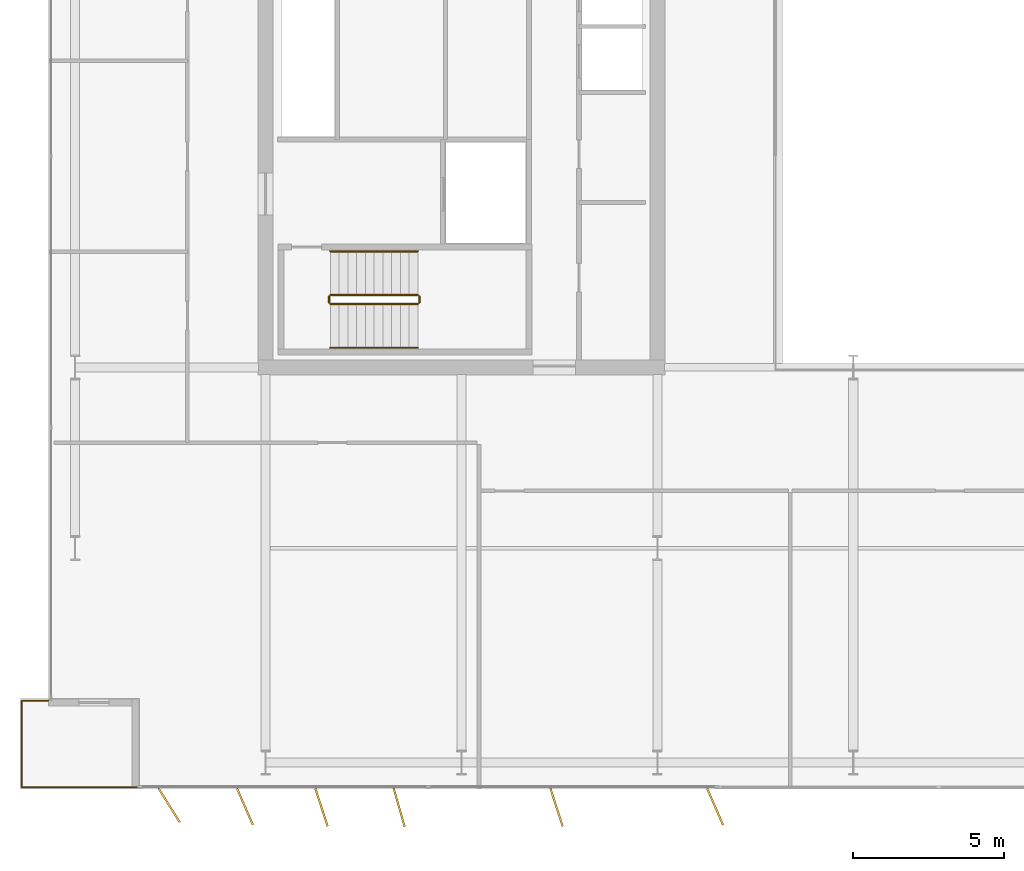
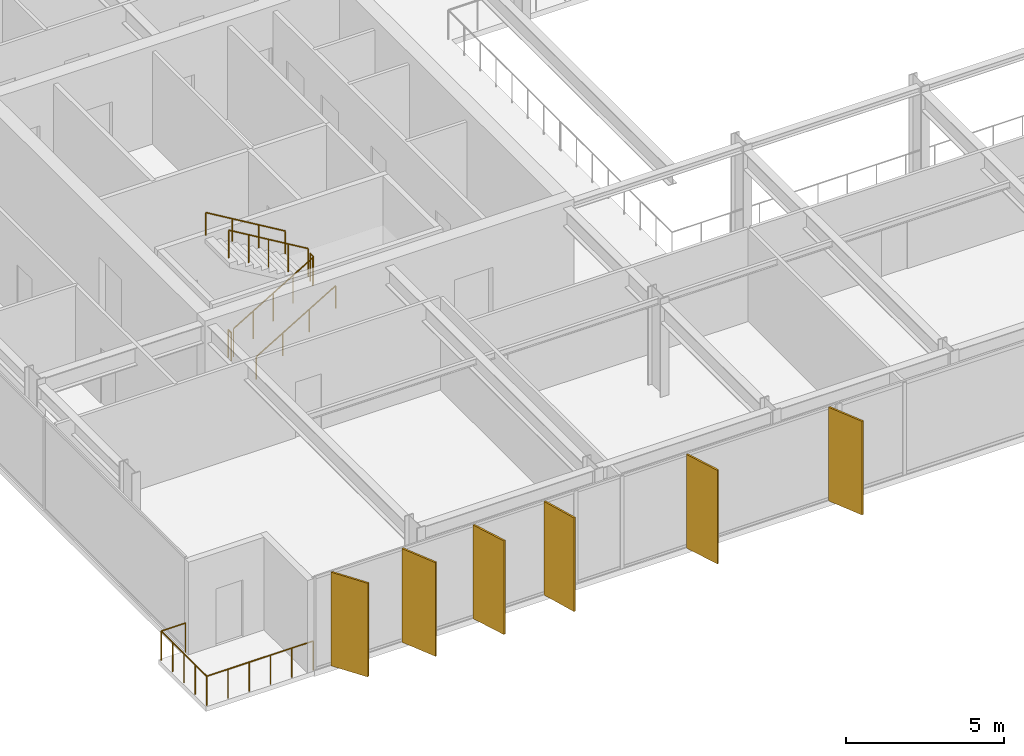
# One storey, part 20 of 23: 7 railings, 6 shading devices.
"""IFC4 building model written with IfcOpenShell, lengths in metres."""

from ifc_helpers import new_model, si_unit, direction, frame, origin, origin_2d, place, context, subcontext, project, spatial, rectangle, circle, extrude, material, layer, layer_set, type_object, element, save


model = new_model("IFC4")

# Units and contexts
model_context = context("Model", 3, precision=1e-05, world=origin(), true_north=direction((0.0, 1.0)))
body_context = subcontext(model_context, "Body", "Model", "MODEL_VIEW")
ifc_project = project(units=[si_unit("LENGTHUNIT", "METRE"), si_unit("AREAUNIT", "SQUARE_METRE"), si_unit("VOLUMEUNIT", "CUBIC_METRE"), si_unit("PLANEANGLEUNIT", "RADIAN"), si_unit("MASSUNIT", "GRAM", prefix="KILO")], contexts=[model_context])

# Site, building, storey
site_placement = place(None, origin())
site = spatial("IfcSite", under=ifc_project, at=site_placement, CompositionType="ELEMENT")
building_placement = place(site_placement, origin())
building = spatial("IfcBuilding", under=site, at=building_placement, Name="Putna Gate Headquarters", CompositionType="ELEMENT")
storey_placement = place(building_placement, frame((0.0, 0.0, 225.199951171875)))
storey = spatial("IfcBuildingStorey", under=building, at=storey_placement, Name="L56", CompositionType="ELEMENT", Elevation=225.199951171875)

# Railings
ifc_material_1 = material(Name="Powder-coated steel stair guardrail", Category="steel")
railing_type_1 = type_object("IfcRailingType", Name="RAIL-STAIR-GUARD-1100", PredefinedType="GUARDRAIL", material=ifc_material_1)
railing_1_placement = place(storey_placement, frame((15.14990234375, 21.10009765625, 0.1728515625)))
element("IfcRailing", 1, at=railing_1_placement, inside=storey, type_object=railing_type_1, Name="L56 ST1 stair guard 1", PredefinedType="GUARDRAIL", context=body_context, shape_type="SweptSolid", body=[
    extrude(circle(Radius=0.02392578125, at=origin_2d()), frame((0.0, 0.0, 1.076171875), z_axis=(0.859160404282, 0.0, 0.51170636083), x_axis=(0.0, 1.0, 0.0)), (0.0, 0.0, 1.0), 3.37548828125),
    extrude(circle(Radius=0.02099609375, at=origin_2d()), origin(), (0.0, 0.0, 1.0), 1.052001953125),
    extrude(circle(Radius=0.02099609375, at=origin_2d()), frame((0.72509765625, 0.0, 0.431884765625)), (0.0, 0.0, 1.0), 1.052001953125),
    extrude(circle(Radius=0.02099609375, at=origin_2d()), frame((1.4501953125, 0.0, 0.86376953125)), (0.0, 0.0, 1.0), 1.052001953125),
    extrude(circle(Radius=0.02099609375, at=origin_2d()), frame((2.175048828125, 0.0, 1.29541015625)), (0.0, 0.0, 1.0), 1.052001953125),
    extrude(circle(Radius=0.02099609375, at=origin_2d()), frame((2.900146484375, 0.0, 1.727294921875)), (0.0, 0.0, 1.0), 1.052001953125),
])
railing_2_placement = place(storey_placement, frame((18.10009765625, 21.14990234375, 1.900146484375)))
element("IfcRailing", 2, at=railing_2_placement, inside=storey, type_object=railing_type_1, Name="L56 ST1 stair guard 2", PredefinedType="GUARDRAIL", context=body_context, shape_type="SweptSolid", body=[
    extrude(circle(Radius=0.02392578125, at=origin_2d()), frame((0.0, 0.0, 1.076171875), z_axis=(0.0, 1.0, 0.0), x_axis=(-1.0, 0.0, 0.0)), (0.0, 0.0, 1.0), 0.2001953125),
    extrude(circle(Radius=0.02099609375, at=origin_2d()), origin(), (0.0, 0.0, 1.0), 1.052001953125),
    extrude(circle(Radius=0.02099609375, at=origin_2d()), frame((0.0, 0.2001953125, 0.0)), (0.0, 0.0, 1.0), 1.052001953125),
])
railing_3_placement = place(storey_placement, frame((18.050048828125, 21.39990234375, 2.07275390625)))
element("IfcRailing", 3, at=railing_3_placement, inside=storey, type_object=railing_type_1, Name="L56 ST1 stair guard 3", PredefinedType="GUARDRAIL", context=body_context, shape_type="SweptSolid", body=[
    extrude(circle(Radius=0.02392578125, at=origin_2d()), frame((0.0, 0.0, 1.076171875), z_axis=(-0.859160404282, 0.0, 0.51170636083), x_axis=(0.0, -1.0, 0.0)), (0.0, 0.0, 1.0), 3.37548828125),
    extrude(circle(Radius=0.02099609375, at=origin_2d()), origin(), (0.0, 0.0, 1.0), 1.052001953125),
    extrude(circle(Radius=0.02099609375, at=origin_2d()), frame((-0.72509765625, 0.0, 0.431884765625)), (0.0, 0.0, 1.0), 1.052001953125),
    extrude(circle(Radius=0.02099609375, at=origin_2d()), frame((-1.4501953125, 0.0, 0.86376953125)), (0.0, 0.0, 1.0), 1.052001953125),
    extrude(circle(Radius=0.02099609375, at=origin_2d()), frame((-2.175048828125, 0.0, 1.29541015625)), (0.0, 0.0, 1.0), 1.052001953125),
    extrude(circle(Radius=0.02099609375, at=origin_2d()), frame((-2.900146484375, 0.0, 1.727294921875)), (0.0, 0.0, 1.0), 1.052001953125),
])
railing_4_placement = place(storey_placement, frame((15.10009765625, 21.14990234375, 0.0)))
element("IfcRailing", 4, at=railing_4_placement, inside=storey, type_object=railing_type_1, Name="L56 ST1 stair guard 4", PredefinedType="GUARDRAIL", context=body_context, shape_type="SweptSolid", body=[
    extrude(circle(Radius=0.02392578125, at=origin_2d()), frame((0.0, 0.0, 1.076171875), z_axis=(0.0, 1.0, 0.0), x_axis=(-1.0, 0.0, 0.0)), (0.0, 0.0, 1.0), 0.2001953125),
    extrude(circle(Radius=0.02099609375, at=origin_2d()), origin(), (0.0, 0.0, 1.0), 1.052001953125),
    extrude(circle(Radius=0.02099609375, at=origin_2d()), frame((0.0, 0.2001953125, 0.0)), (0.0, 0.0, 1.0), 1.052001953125),
])
ifc_material_2 = material(Name="Brushed stainless steel handrail", Category="steel")
railing_type_2 = type_object("IfcRailingType", Name="RAIL-STAIR-HAND-900", PredefinedType="HANDRAIL", material=ifc_material_2)
railing_5_placement = place(storey_placement, frame((15.14990234375, 19.64990234375, 0.1728515625)))
element("IfcRailing", 5, at=railing_5_placement, inside=storey, type_object=railing_type_2, Name="L56 ST1 stair handrail 1", PredefinedType="HANDRAIL", context=body_context, shape_type="SweptSolid", body=[
    extrude(circle(Radius=0.02392578125, at=origin_2d()), frame((0.0, 0.0, 0.8759765625), z_axis=(0.859160404282, 0.0, 0.51170636083), x_axis=(0.0, 1.0, 0.0)), (0.0, 0.0, 1.0), 3.37548828125),
    extrude(circle(Radius=0.02099609375, at=origin_2d()), origin(), (0.0, 0.0, 1.0), 0.851806640625),
    extrude(circle(Radius=0.02099609375, at=origin_2d()), frame((0.966796875, 0.0, 0.57568359375)), (0.0, 0.0, 1.0), 0.851806640625),
    extrude(circle(Radius=0.02099609375, at=origin_2d()), frame((1.933349609375, 0.0, 1.151611328125)), (0.0, 0.0, 1.0), 0.851806640625),
    extrude(circle(Radius=0.02099609375, at=origin_2d()), frame((2.900146484375, 0.0, 1.727294921875)), (0.0, 0.0, 1.0), 0.851806640625),
])
railing_6_placement = place(storey_placement, frame((18.050048828125, 22.85009765625, 2.07275390625)))
element("IfcRailing", 6, at=railing_6_placement, inside=storey, type_object=railing_type_2, Name="L56 ST1 stair handrail 2", PredefinedType="HANDRAIL", context=body_context, shape_type="SweptSolid", body=[
    extrude(circle(Radius=0.02392578125, at=origin_2d()), frame((0.0, 0.0, 0.8759765625), z_axis=(-0.859160404282, 0.0, 0.51170636083), x_axis=(0.0, -1.0, 0.0)), (0.0, 0.0, 1.0), 3.37548828125),
    extrude(circle(Radius=0.02099609375, at=origin_2d()), origin(), (0.0, 0.0, 1.0), 0.851806640625),
    extrude(circle(Radius=0.02099609375, at=origin_2d()), frame((-0.966796875, 0.0, 0.57568359375)), (0.0, 0.0, 1.0), 0.851806640625),
    extrude(circle(Radius=0.02099609375, at=origin_2d()), frame((-1.933349609375, 0.0, 1.151611328125)), (0.0, 0.0, 1.0), 0.851806640625),
    extrude(circle(Radius=0.02099609375, at=origin_2d()), frame((-2.900146484375, 0.0, 1.727294921875)), (0.0, 0.0, 1.0), 0.851806640625),
])
ifc_material_3 = material(Name="Anodised bronze steel and laminated glass guardrail", Category="steel")
railing_type_3 = type_object("IfcRailingType", Name="RAIL-TERR-GUARD-1150", PredefinedType="GUARDRAIL", material=ifc_material_3)
railing_7_placement = place(storey_placement, frame((8.800048828125, 5.06005859375, 0.0)))
element("IfcRailing", 7, at=railing_7_placement, inside=storey, type_object=railing_type_3, Name="L56 Spiral Sky Terrace Guardrail SW", PredefinedType="GUARDRAIL", context=body_context, shape_type="SweptSolid", body=[
    extrude(circle(Radius=0.02392578125, at=origin_2d()), frame((0.0, 0.0, 1.1259765625), z_axis=(-1.0, 0.0, 0.0), x_axis=(0.0, -1.0, 0.0)), (0.0, 0.0, 1.0), 3.89013671875),
    extrude(circle(Radius=0.02392578125, at=origin_2d()), frame((-3.89013671875, 0.0, 1.1259765625), z_axis=(0.0, 1.0, 0.0), x_axis=(-1.0, 0.0, 0.0)), (0.0, 0.0, 1.0), 2.8798828125),
    extrude(circle(Radius=0.02392578125, at=origin_2d()), frame((-3.89013671875, 2.8798828125, 1.1259765625), z_axis=(1.0, 0.0, 0.0), x_axis=(0.0, 1.0, 0.0)), (0.0, 0.0, 1.0), 0.89013671875),
    extrude(circle(Radius=0.02099609375, at=origin_2d()), origin(), (0.0, 0.0, 1.0), 1.101806640625),
    extrude(circle(Radius=0.02099609375, at=origin_2d()), frame((-0.778076171875, 0.0, 0.0)), (0.0, 0.0, 1.0), 1.101806640625),
    extrude(circle(Radius=0.02099609375, at=origin_2d()), frame((-1.55615234375, 0.0, 0.0)), (0.0, 0.0, 1.0), 1.101806640625),
    extrude(circle(Radius=0.02099609375, at=origin_2d()), frame((-2.333984375, 0.0, 0.0)), (0.0, 0.0, 1.0), 1.101806640625),
    extrude(circle(Radius=0.02099609375, at=origin_2d()), frame((-3.112060546875, 0.0, 0.0)), (0.0, 0.0, 1.0), 1.101806640625),
    extrude(circle(Radius=0.02099609375, at=origin_2d()), frame((-3.89013671875, 0.0, 0.0)), (0.0, 0.0, 1.0), 1.101806640625),
    extrude(circle(Radius=0.02099609375, at=origin_2d()), frame((-3.89013671875, 0.719970703125, 0.0)), (0.0, 0.0, 1.0), 1.101806640625),
    extrude(circle(Radius=0.02099609375, at=origin_2d()), frame((-3.89013671875, 1.43994140625, 0.0)), (0.0, 0.0, 1.0), 1.101806640625),
    extrude(circle(Radius=0.02099609375, at=origin_2d()), frame((-3.89013671875, 2.159912109375, 0.0)), (0.0, 0.0, 1.0), 1.101806640625),
    extrude(circle(Radius=0.02099609375, at=origin_2d()), frame((-3.89013671875, 2.8798828125, 0.0)), (0.0, 0.0, 1.0), 1.101806640625),
    extrude(circle(Radius=0.02099609375, at=origin_2d()), frame((-3.0, 2.8798828125, 0.0)), (0.0, 0.0, 1.0), 1.101806640625),
])

# Shading devices
ifc_material_4 = material(Name="Anodised architectural bronze aluminium fin", Category="aluminium")
ifc_layer = layer(ifc_material_4, 0.06494140625)
ifc_layer_set = layer_set([ifc_layer], Name="Anodised architectural bronze aluminium fin")
shading_device_type = type_object("IfcShadingDeviceType", Name="SHADE-BRONZE-FIN-1320", PredefinedType="USERDEFINED", material=ifc_layer_set)
for number, where, z_axis, x_axis, name in (
    (8, (9.80029296875, 4.465576171875, -0.02001953125), (0.0, 0.0, 1.0), (0.530659123936, -0.847585331506, 0.0), "L56 Bronze Vertical Shading Fin S1"),
    (9, (12.314453125, 4.42041015625, -0.02001953125), (0.0, 0.0, 1.0), (0.400668879095, -0.916222925562, 0.0), "L56 Bronze Vertical Shading Fin S2"),
    (10, (14.853759765625, 4.397216796875, -0.02001953125), (0.0, 0.0, 1.0), (0.308684994204, -0.951164325631, 0.0), "L56 Bronze Vertical Shading Fin S3"),
    (11, (17.431884765625, 4.390625, -0.02001953125), (0.0, 0.0, 1.0), (0.275637355817, -0.961261695938, 0.0), "L56 Bronze Vertical Shading Fin S4"),
    (12, (22.65380859375, 4.397216796875, -0.02001953125), (0.0, 0.0, 1.0), (0.308684994204, -0.951164325631, 0.0), "L56 Bronze Vertical Shading Fin S5"),
    (13, (27.914306640625, 4.42041015625, -0.02001953125), (0.0, 0.0, 1.0), (0.400668879095, -0.916222925562, 0.0), "L56 Bronze Vertical Shading Fin S6"),
):
    element("IfcShadingDevice", number, at=place(storey_placement, frame(where, z_axis=z_axis, x_axis=x_axis)), inside=storey, type_object=shading_device_type, Name=name, ObjectType="FIN", PredefinedType="USERDEFINED", context=body_context, shape_type="SweptSolid", body=[
        extrude(rectangle(XDim=1.320068359375, YDim=0.06494140625, at=origin_2d()), origin(), (0.0, 0.0, 1.0), 3.6201171875),
    ])

save(model, "model.ifc")
